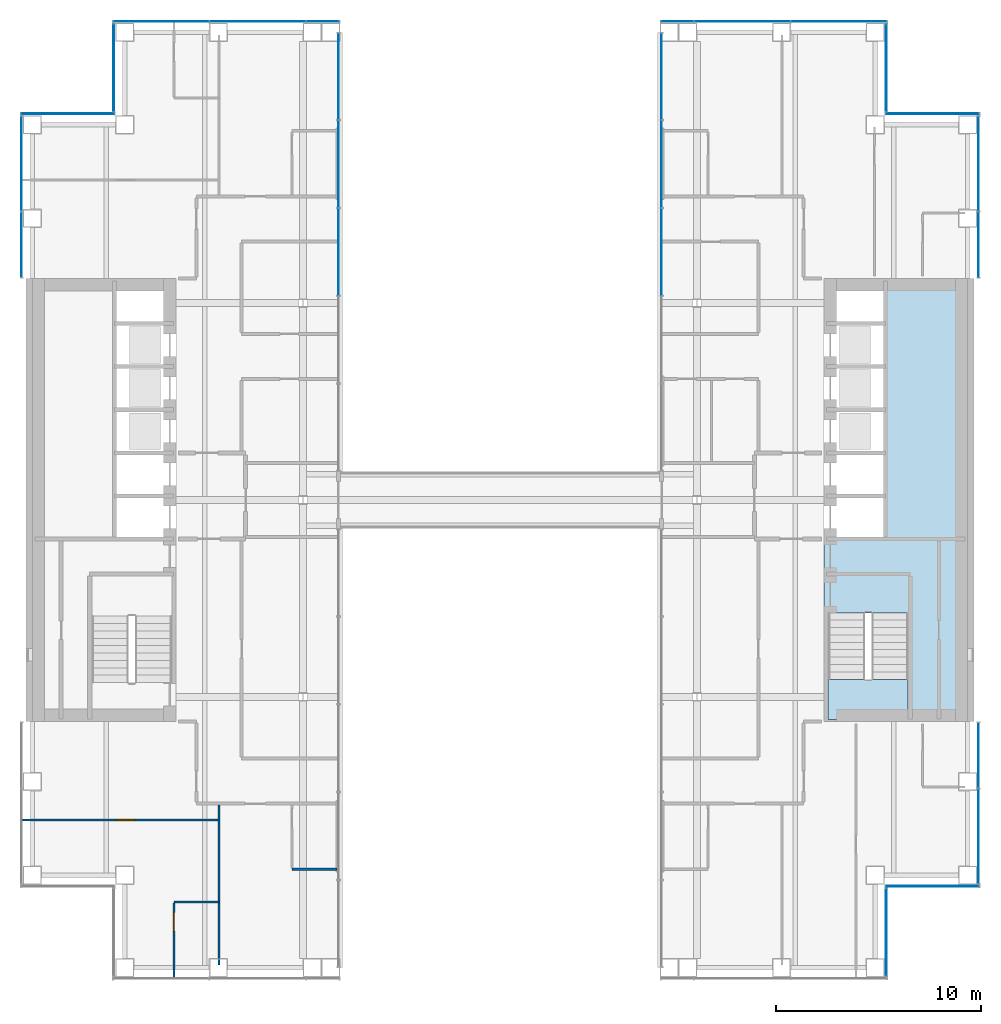
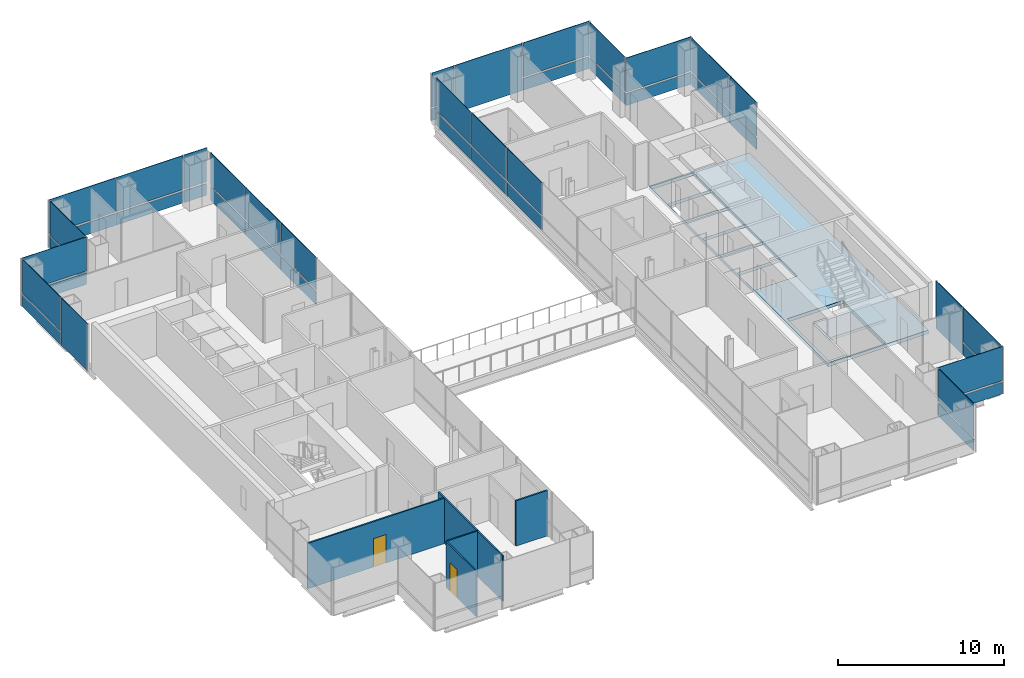
# One storey, part 10 of 16: 45 plates, 5 walls, 2 doors, 2 slabs, 2 openings, 14 elements without a shape of their own.
"""IFC4 building model written with IfcOpenShell, lengths in metres."""

from ifc_helpers import new_model, si_unit, direction, frame, frame_2d, origin, origin_2d, place, context, subcontext, project, spatial, polyline, rectangle, outline, extrude, material, layer, layer_set, type_object, element, fill, aggregate, save


model = new_model("IFC4")

# Units and contexts
model_context = context("Model", 3, precision=1e-05, world=origin(), true_north=direction((0.0, 1.0)))
body_context = subcontext(model_context, "Body", "Model", "MODEL_VIEW")
ifc_project = project(units=[si_unit("LENGTHUNIT", "METRE"), si_unit("AREAUNIT", "SQUARE_METRE"), si_unit("VOLUMEUNIT", "CUBIC_METRE"), si_unit("PLANEANGLEUNIT", "RADIAN"), si_unit("MASSUNIT", "GRAM", prefix="KILO")], contexts=[model_context])

# Site, building, storey
site_placement = place(None, origin())
site = spatial("IfcSite", under=ifc_project, at=site_placement, CompositionType="ELEMENT")
building_placement = place(site_placement, origin())
building = spatial("IfcBuilding", under=site, at=building_placement, Name="Cobrizo Arcos Hotel Tower", CompositionType="ELEMENT")
storey_placement = place(building_placement, frame((0.0, 0.0, 120.5)))
storey = spatial("IfcBuildingStorey", under=building, at=storey_placement, Name="L30", CompositionType="ELEMENT", Elevation=120.5)

# Curtain wall, plate
ifc_material_1 = material(Name="Aluminium 6063-T6 anodised bronze", Category="aluminium")
curtain_wall_type_1 = type_object("IfcCurtainWallType", Name="CW-A guest facade", PredefinedType="NOTDEFINED", material=ifc_material_1)
curtain_wall_1_placement = place(storey_placement, origin())
curtain_wall_1 = element("IfcCurtainWall", 1, at=curtain_wall_1_placement, inside=storey, type_object=curtain_wall_type_1, Name="CW-A L30 E face", PredefinedType="NOTDEFINED")
ifc_material_2 = material(Name="Glass clear laminated low-e", Category="glass")
ifc_layer_1 = layer(ifc_material_2, 0.0400390625)
ifc_layer_set_1 = layer_set([ifc_layer_1], Name="CW-A glass panel")
plate_type_1 = type_object("IfcPlateType", Name="CW-A glass panel", PredefinedType="CURTAIN_PANEL", material=ifc_layer_set_1)
plate_1_placement = place(storey_placement, frame((18.824951171875, -21.074951171875, 0.990234375), z_axis=(0.0, 0.0, 1.0), x_axis=(0.0, 1.0, 0.0)))
plate_1 = element("IfcPlate", 2, at=plate_1_placement, type_object=plate_type_1, Name="CW-A glass panel 1141", PredefinedType="CURTAIN_PANEL", context=body_context, shape_type="SweptSolid", body=[
    extrude(rectangle(XDim=4.22998046875, YDim=0.0400390625, at=origin_2d()), origin(), (0.0, 0.0, 1.0), 2.510009765625),
])

curtain_wall_2_placement = place(storey_placement, origin())
curtain_wall_2 = element("IfcCurtainWall", 3, at=curtain_wall_2_placement, inside=storey, type_object=curtain_wall_type_1, Name="CW-A L30 S face", PredefinedType="NOTDEFINED")
plate_2_placement = place(storey_placement, frame((21.074951171875, -18.824951171875, 0.990234375), z_axis=(0.0, 0.0, 1.0), x_axis=(1.0, 0.0, 0.0)))
plate_2 = element("IfcPlate", 4, at=plate_2_placement, type_object=plate_type_1, Name="CW-A glass panel 1142", PredefinedType="CURTAIN_PANEL", context=body_context, shape_type="SweptSolid", body=[
    extrude(rectangle(XDim=4.530029296875, YDim=0.0400390625, at=origin_2d()), origin(), (0.0, 0.0, 1.0), 2.510009765625),
])

curtain_wall_3_placement = place(storey_placement, origin())
curtain_wall_3 = element("IfcCurtainWall", 5, at=curtain_wall_3_placement, inside=storey, type_object=curtain_wall_type_1, Name="CW-A L30 E face", PredefinedType="NOTDEFINED")
plate_3_placement = place(storey_placement, frame((23.324951171875, -16.391357421875, 0.990234375), z_axis=(0.0, 0.0, 1.0), x_axis=(0.0, 1.0, 0.0)))
plate_3 = element("IfcPlate", 6, at=plate_3_placement, type_object=plate_type_1, Name="CW-A glass panel 1143", PredefinedType="CURTAIN_PANEL", context=body_context, shape_type="SweptSolid", body=[
    extrude(rectangle(XDim=4.597412109375, YDim=0.0400390625, at=origin_2d()), origin(), (0.0, 0.0, 1.0), 2.510009765625),
])

# Curtain wall, plates
curtain_wall_4_placement = place(storey_placement, origin())
curtain_wall_4 = element("IfcCurtainWall", 7, at=curtain_wall_4_placement, inside=storey, type_object=curtain_wall_type_1, Name="CW-A L30 E face", PredefinedType="NOTDEFINED")
plate_4_placement = place(storey_placement, frame((23.324951171875, 12.4462890625, 0.990234375), z_axis=(0.0, 0.0, 1.0), x_axis=(0.0, 1.0, 0.0)))
plate_4 = element("IfcPlate", 8, at=plate_4_placement, type_object=plate_type_1, Name="CW-A glass panel 1145", PredefinedType="CURTAIN_PANEL", context=body_context, shape_type="SweptSolid", body=[
    extrude(rectangle(XDim=3.172607421875, YDim=0.0400390625, at=origin_2d()), origin(), (0.0, 0.0, 1.0), 2.510009765625),
])
plate_5_placement = place(storey_placement, frame((23.324951171875, 16.391357421875, 0.990234375), z_axis=(0.0, 0.0, 1.0), x_axis=(0.0, 1.0, 0.0)))
plate_5 = element("IfcPlate", 9, at=plate_5_placement, type_object=plate_type_1, Name="CW-A glass panel 1146", PredefinedType="CURTAIN_PANEL", context=body_context, shape_type="SweptSolid", body=[
    extrude(rectangle(XDim=4.597412109375, YDim=0.0400390625, at=origin_2d()), origin(), (0.0, 0.0, 1.0), 2.510009765625),
])

# Curtain wall, plate
curtain_wall_5_placement = place(storey_placement, origin())
curtain_wall_5 = element("IfcCurtainWall", 10, at=curtain_wall_5_placement, inside=storey, type_object=curtain_wall_type_1, Name="CW-A L30 N face", PredefinedType="NOTDEFINED")
plate_6_placement = place(storey_placement, frame((21.074951171875, 18.824951171875, 0.990234375), z_axis=(0.0, 0.0, 1.0), x_axis=(-1.0, 0.0, 0.0)))
plate_6 = element("IfcPlate", 11, at=plate_6_placement, type_object=plate_type_1, Name="CW-A glass panel 1147", PredefinedType="CURTAIN_PANEL", context=body_context, shape_type="SweptSolid", body=[
    extrude(rectangle(XDim=4.530029296875, YDim=0.0400390625, at=origin_2d()), origin(), (0.0, 0.0, 1.0), 2.510009765625),
])

curtain_wall_6_placement = place(storey_placement, origin())
curtain_wall_6 = element("IfcCurtainWall", 12, at=curtain_wall_6_placement, inside=storey, type_object=curtain_wall_type_1, Name="CW-A L30 E face", PredefinedType="NOTDEFINED")
plate_7_placement = place(storey_placement, frame((18.824951171875, 21.074951171875, 0.990234375), z_axis=(0.0, 0.0, 1.0), x_axis=(0.0, 1.0, 0.0)))
plate_7 = element("IfcPlate", 13, at=plate_7_placement, type_object=plate_type_1, Name="CW-A glass panel 1148", PredefinedType="CURTAIN_PANEL", context=body_context, shape_type="SweptSolid", body=[
    extrude(rectangle(XDim=4.22998046875, YDim=0.0400390625, at=origin_2d()), origin(), (0.0, 0.0, 1.0), 2.510009765625),
])

# Curtain wall, plates
curtain_wall_7_placement = place(storey_placement, origin())
curtain_wall_7 = element("IfcCurtainWall", 14, at=curtain_wall_7_placement, inside=storey, type_object=curtain_wall_type_1, Name="CW-A L30 N face", PredefinedType="NOTDEFINED")
plate_8_placement = place(storey_placement, frame((16.5224609375, 23.324951171875, 0.990234375), z_axis=(0.0, 0.0, 1.0), x_axis=(-1.0, 0.0, 0.0)))
plate_8 = element("IfcPlate", 15, at=plate_8_placement, type_object=plate_type_1, Name="CW-A glass panel 1149", PredefinedType="CURTAIN_PANEL", context=body_context, shape_type="SweptSolid", body=[
    extrude(rectangle(XDim=4.635009765625, YDim=0.0400390625, at=origin_2d()), origin(), (0.0, 0.0, 1.0), 2.510009765625),
])
plate_9_placement = place(storey_placement, frame((8.639892578125, 23.324951171875, 0.990234375), z_axis=(0.0, 0.0, 1.0), x_axis=(-1.0, 0.0, 0.0)))
plate_9 = element("IfcPlate", 16, at=plate_9_placement, type_object=plate_type_1, Name="CW-A glass panel 1151", PredefinedType="CURTAIN_PANEL", context=body_context, shape_type="SweptSolid", body=[
    extrude(rectangle(XDim=1.56005859375, YDim=0.0400390625, at=origin_2d()), origin(), (0.0, 0.0, 1.0), 2.510009765625),
])

curtain_wall_8_placement = place(storey_placement, origin())
curtain_wall_8 = element("IfcCurtainWall", 17, at=curtain_wall_8_placement, inside=storey, type_object=curtain_wall_type_1, Name="CW-A L30 N face", PredefinedType="NOTDEFINED")
plate_10_placement = place(storey_placement, frame((-8.639892578125, 23.324951171875, 0.990234375), z_axis=(0.0, 0.0, 1.0), x_axis=(-1.0, 0.0, 0.0)))
plate_10 = element("IfcPlate", 18, at=plate_10_placement, type_object=plate_type_1, Name="CW-A glass panel 1152", PredefinedType="CURTAIN_PANEL", context=body_context, shape_type="SweptSolid", body=[
    extrude(rectangle(XDim=1.56005859375, YDim=0.0400390625, at=origin_2d()), origin(), (0.0, 0.0, 1.0), 2.510009765625),
])
plate_11_placement = place(storey_placement, frame((-11.8125, 23.324951171875, 0.990234375), z_axis=(0.0, 0.0, 1.0), x_axis=(-1.0, 0.0, 0.0)))
plate_11 = element("IfcPlate", 19, at=plate_11_placement, type_object=plate_type_1, Name="CW-A glass panel 1153", PredefinedType="CURTAIN_PANEL", context=body_context, shape_type="SweptSolid", body=[
    extrude(rectangle(XDim=4.6650390625, YDim=0.0400390625, at=origin_2d()), origin(), (0.0, 0.0, 1.0), 2.510009765625),
])
plate_12_placement = place(storey_placement, frame((-16.5224609375, 23.324951171875, 0.990234375), z_axis=(0.0, 0.0, 1.0), x_axis=(-1.0, 0.0, 0.0)))
plate_12 = element("IfcPlate", 20, at=plate_12_placement, type_object=plate_type_1, Name="CW-A glass panel 1154", PredefinedType="CURTAIN_PANEL", context=body_context, shape_type="SweptSolid", body=[
    extrude(rectangle(XDim=4.635009765625, YDim=0.0400390625, at=origin_2d()), origin(), (0.0, 0.0, 1.0), 2.510009765625),
])

# Curtain wall, plate
curtain_wall_9_placement = place(storey_placement, origin())
curtain_wall_9 = element("IfcCurtainWall", 21, at=curtain_wall_9_placement, inside=storey, type_object=curtain_wall_type_1, Name="CW-A L30 W face", PredefinedType="NOTDEFINED")
plate_13_placement = place(storey_placement, frame((-18.824951171875, 21.074951171875, 0.990234375), z_axis=(0.0, 0.0, 1.0), x_axis=(0.0, -1.0, 0.0)))
plate_13 = element("IfcPlate", 22, at=plate_13_placement, type_object=plate_type_1, Name="CW-A glass panel 1155", PredefinedType="CURTAIN_PANEL", context=body_context, shape_type="SweptSolid", body=[
    extrude(rectangle(XDim=4.22998046875, YDim=0.0400390625, at=origin_2d()), origin(), (0.0, 0.0, 1.0), 2.510009765625),
])

curtain_wall_10_placement = place(storey_placement, origin())
curtain_wall_10 = element("IfcCurtainWall", 23, at=curtain_wall_10_placement, inside=storey, type_object=curtain_wall_type_1, Name="CW-A L30 N face", PredefinedType="NOTDEFINED")
plate_14_placement = place(storey_placement, frame((-21.074951171875, 18.824951171875, 0.990234375), z_axis=(0.0, 0.0, 1.0), x_axis=(-1.0, 0.0, 0.0)))
plate_14 = element("IfcPlate", 24, at=plate_14_placement, type_object=plate_type_1, Name="CW-A glass panel 1156", PredefinedType="CURTAIN_PANEL", context=body_context, shape_type="SweptSolid", body=[
    extrude(rectangle(XDim=4.530029296875, YDim=0.0400390625, at=origin_2d()), origin(), (0.0, 0.0, 1.0), 2.510009765625),
])

curtain_wall_11_placement = place(storey_placement, origin())
curtain_wall_11 = element("IfcCurtainWall", 25, at=curtain_wall_11_placement, inside=storey, type_object=curtain_wall_type_1, Name="CW-A L30 W face", PredefinedType="NOTDEFINED")
plate_15_placement = place(storey_placement, frame((-23.324951171875, 16.391357421875, 0.990234375), z_axis=(0.0, 0.0, 1.0), x_axis=(0.0, -1.0, 0.0)))
plate_15 = element("IfcPlate", 26, at=plate_15_placement, type_object=plate_type_1, Name="CW-A glass panel 1157", PredefinedType="CURTAIN_PANEL", context=body_context, shape_type="SweptSolid", body=[
    extrude(rectangle(XDim=4.597412109375, YDim=0.0400390625, at=origin_2d()), origin(), (0.0, 0.0, 1.0), 2.510009765625),
])

# Plate
ifc_material_3 = material(Name="Aluminium composite panel pale metal", Category="aluminium")
ifc_layer_2 = layer(ifc_material_3, 0.0400390625)
ifc_layer_set_2 = layer_set([ifc_layer_2], Name="CW-A spandrel panel")
plate_type_2 = type_object("IfcPlateType", Name="CW-A spandrel panel", PredefinedType="CURTAIN_PANEL", material=ifc_layer_set_2)
plate_16_placement = place(storey_placement, frame((18.824951171875, -21.074951171875, 0.0), z_axis=(0.0, 0.0, 1.0), x_axis=(0.0, 1.0, 0.0)))
plate_16 = element("IfcPlate", 27, at=plate_16_placement, type_object=plate_type_2, Name="CW-A spandrel panel 1141", PredefinedType="CURTAIN_PANEL", context=body_context, shape_type="SweptSolid", body=[
    extrude(rectangle(XDim=4.22998046875, YDim=0.0400390625, at=origin_2d()), origin(), (0.0, 0.0, 1.0), 0.8701171875),
])

aggregate(curtain_wall_1, [plate_16, plate_1])

plate_17_placement = place(storey_placement, frame((21.074951171875, -18.824951171875, 0.0), z_axis=(0.0, 0.0, 1.0), x_axis=(1.0, 0.0, 0.0)))
plate_17 = element("IfcPlate", 28, at=plate_17_placement, type_object=plate_type_2, Name="CW-A spandrel panel 1142", PredefinedType="CURTAIN_PANEL", context=body_context, shape_type="SweptSolid", body=[
    extrude(rectangle(XDim=4.530029296875, YDim=0.0400390625, at=origin_2d()), origin(), (0.0, 0.0, 1.0), 0.8701171875),
])

aggregate(curtain_wall_2, [plate_17, plate_2])

plate_18_placement = place(storey_placement, frame((23.324951171875, -16.391357421875, 0.0), z_axis=(0.0, 0.0, 1.0), x_axis=(0.0, 1.0, 0.0)))
plate_18 = element("IfcPlate", 29, at=plate_18_placement, type_object=plate_type_2, Name="CW-A spandrel panel 1143", PredefinedType="CURTAIN_PANEL", context=body_context, shape_type="SweptSolid", body=[
    extrude(rectangle(XDim=4.597412109375, YDim=0.0400390625, at=origin_2d()), origin(), (0.0, 0.0, 1.0), 0.8701171875),
])

plate_19_placement = place(storey_placement, frame((23.324951171875, -12.4462890625, 0.0), z_axis=(0.0, 0.0, 1.0), x_axis=(0.0, 1.0, 0.0)))
plate_19 = element("IfcPlate", 30, at=plate_19_placement, type_object=plate_type_2, Name="CW-A spandrel panel 1144", PredefinedType="CURTAIN_PANEL", context=body_context, shape_type="SweptSolid", body=[
    extrude(rectangle(XDim=3.172607421875, YDim=0.0400390625, at=origin_2d()), origin(), (0.0, 0.0, 1.0), 3.5),
])

aggregate(curtain_wall_3, [plate_18, plate_3, plate_19])

plate_20_placement = place(storey_placement, frame((23.324951171875, 12.4462890625, 0.0), z_axis=(0.0, 0.0, 1.0), x_axis=(0.0, 1.0, 0.0)))
plate_20 = element("IfcPlate", 31, at=plate_20_placement, type_object=plate_type_2, Name="CW-A spandrel panel 1145", PredefinedType="CURTAIN_PANEL", context=body_context, shape_type="SweptSolid", body=[
    extrude(rectangle(XDim=3.172607421875, YDim=0.0400390625, at=origin_2d()), origin(), (0.0, 0.0, 1.0), 0.8701171875),
])

plate_21_placement = place(storey_placement, frame((23.324951171875, 16.391357421875, 0.0), z_axis=(0.0, 0.0, 1.0), x_axis=(0.0, 1.0, 0.0)))
plate_21 = element("IfcPlate", 32, at=plate_21_placement, type_object=plate_type_2, Name="CW-A spandrel panel 1146", PredefinedType="CURTAIN_PANEL", context=body_context, shape_type="SweptSolid", body=[
    extrude(rectangle(XDim=4.597412109375, YDim=0.0400390625, at=origin_2d()), origin(), (0.0, 0.0, 1.0), 0.8701171875),
])

aggregate(curtain_wall_4, [plate_20, plate_4, plate_21, plate_5])

plate_22_placement = place(storey_placement, frame((21.074951171875, 18.824951171875, 0.0), z_axis=(0.0, 0.0, 1.0), x_axis=(-1.0, 0.0, 0.0)))
plate_22 = element("IfcPlate", 33, at=plate_22_placement, type_object=plate_type_2, Name="CW-A spandrel panel 1147", PredefinedType="CURTAIN_PANEL", context=body_context, shape_type="SweptSolid", body=[
    extrude(rectangle(XDim=4.530029296875, YDim=0.0400390625, at=origin_2d()), origin(), (0.0, 0.0, 1.0), 0.8701171875),
])

aggregate(curtain_wall_5, [plate_22, plate_6])

plate_23_placement = place(storey_placement, frame((18.824951171875, 21.074951171875, 0.0), z_axis=(0.0, 0.0, 1.0), x_axis=(0.0, 1.0, 0.0)))
plate_23 = element("IfcPlate", 34, at=plate_23_placement, type_object=plate_type_2, Name="CW-A spandrel panel 1148", PredefinedType="CURTAIN_PANEL", context=body_context, shape_type="SweptSolid", body=[
    extrude(rectangle(XDim=4.22998046875, YDim=0.0400390625, at=origin_2d()), origin(), (0.0, 0.0, 1.0), 0.8701171875),
])

aggregate(curtain_wall_6, [plate_23, plate_7])

plate_24_placement = place(storey_placement, frame((16.5224609375, 23.324951171875, 0.0), z_axis=(0.0, 0.0, 1.0), x_axis=(-1.0, 0.0, 0.0)))
plate_24 = element("IfcPlate", 35, at=plate_24_placement, type_object=plate_type_2, Name="CW-A spandrel panel 1149", PredefinedType="CURTAIN_PANEL", context=body_context, shape_type="SweptSolid", body=[
    extrude(rectangle(XDim=4.635009765625, YDim=0.0400390625, at=origin_2d()), origin(), (0.0, 0.0, 1.0), 0.8701171875),
])

plate_25_placement = place(storey_placement, frame((11.8125, 23.324951171875, 0.0), z_axis=(0.0, 0.0, 1.0), x_axis=(-1.0, 0.0, 0.0)))
plate_25 = element("IfcPlate", 36, at=plate_25_placement, type_object=plate_type_2, Name="CW-A spandrel panel 1150", PredefinedType="CURTAIN_PANEL", context=body_context, shape_type="SweptSolid", body=[
    extrude(rectangle(XDim=4.6650390625, YDim=0.0400390625, at=origin_2d()), origin(), (0.0, 0.0, 1.0), 3.5),
])

plate_26_placement = place(storey_placement, frame((8.639892578125, 23.324951171875, 0.0), z_axis=(0.0, 0.0, 1.0), x_axis=(-1.0, 0.0, 0.0)))
plate_26 = element("IfcPlate", 37, at=plate_26_placement, type_object=plate_type_2, Name="CW-A spandrel panel 1151", PredefinedType="CURTAIN_PANEL", context=body_context, shape_type="SweptSolid", body=[
    extrude(rectangle(XDim=1.56005859375, YDim=0.0400390625, at=origin_2d()), origin(), (0.0, 0.0, 1.0), 0.8701171875),
])

aggregate(curtain_wall_7, [plate_24, plate_8, plate_25, plate_26, plate_9])

plate_27_placement = place(storey_placement, frame((-8.639892578125, 23.324951171875, 0.0), z_axis=(0.0, 0.0, 1.0), x_axis=(-1.0, 0.0, 0.0)))
plate_27 = element("IfcPlate", 38, at=plate_27_placement, type_object=plate_type_2, Name="CW-A spandrel panel 1152", PredefinedType="CURTAIN_PANEL", context=body_context, shape_type="SweptSolid", body=[
    extrude(rectangle(XDim=1.56005859375, YDim=0.0400390625, at=origin_2d()), origin(), (0.0, 0.0, 1.0), 0.8701171875),
])

plate_28_placement = place(storey_placement, frame((-11.8125, 23.324951171875, 0.0), z_axis=(0.0, 0.0, 1.0), x_axis=(-1.0, 0.0, 0.0)))
plate_28 = element("IfcPlate", 39, at=plate_28_placement, type_object=plate_type_2, Name="CW-A spandrel panel 1153", PredefinedType="CURTAIN_PANEL", context=body_context, shape_type="SweptSolid", body=[
    extrude(rectangle(XDim=4.6650390625, YDim=0.0400390625, at=origin_2d()), origin(), (0.0, 0.0, 1.0), 0.8701171875),
])

plate_29_placement = place(storey_placement, frame((-16.5224609375, 23.324951171875, 0.0), z_axis=(0.0, 0.0, 1.0), x_axis=(-1.0, 0.0, 0.0)))
plate_29 = element("IfcPlate", 40, at=plate_29_placement, type_object=plate_type_2, Name="CW-A spandrel panel 1154", PredefinedType="CURTAIN_PANEL", context=body_context, shape_type="SweptSolid", body=[
    extrude(rectangle(XDim=4.635009765625, YDim=0.0400390625, at=origin_2d()), origin(), (0.0, 0.0, 1.0), 0.8701171875),
])

aggregate(curtain_wall_8, [plate_27, plate_10, plate_28, plate_11, plate_29, plate_12])

plate_30_placement = place(storey_placement, frame((-18.824951171875, 21.074951171875, 0.0), z_axis=(0.0, 0.0, 1.0), x_axis=(0.0, -1.0, 0.0)))
plate_30 = element("IfcPlate", 41, at=plate_30_placement, type_object=plate_type_2, Name="CW-A spandrel panel 1155", PredefinedType="CURTAIN_PANEL", context=body_context, shape_type="SweptSolid", body=[
    extrude(rectangle(XDim=4.22998046875, YDim=0.0400390625, at=origin_2d()), origin(), (0.0, 0.0, 1.0), 0.8701171875),
])

aggregate(curtain_wall_9, [plate_30, plate_13])

plate_31_placement = place(storey_placement, frame((-21.074951171875, 18.824951171875, 0.0), z_axis=(0.0, 0.0, 1.0), x_axis=(-1.0, 0.0, 0.0)))
plate_31 = element("IfcPlate", 42, at=plate_31_placement, type_object=plate_type_2, Name="CW-A spandrel panel 1156", PredefinedType="CURTAIN_PANEL", context=body_context, shape_type="SweptSolid", body=[
    extrude(rectangle(XDim=4.530029296875, YDim=0.0400390625, at=origin_2d()), origin(), (0.0, 0.0, 1.0), 0.8701171875),
])

aggregate(curtain_wall_10, [plate_31, plate_14])

plate_32_placement = place(storey_placement, frame((-23.324951171875, 16.391357421875, 0.0), z_axis=(0.0, 0.0, 1.0), x_axis=(0.0, -1.0, 0.0)))
plate_32 = element("IfcPlate", 43, at=plate_32_placement, type_object=plate_type_2, Name="CW-A spandrel panel 1157", PredefinedType="CURTAIN_PANEL", context=body_context, shape_type="SweptSolid", body=[
    extrude(rectangle(XDim=4.597412109375, YDim=0.0400390625, at=origin_2d()), origin(), (0.0, 0.0, 1.0), 0.8701171875),
])

plate_33_placement = place(storey_placement, frame((-23.324951171875, 12.4462890625, 0.0), z_axis=(0.0, 0.0, 1.0), x_axis=(0.0, -1.0, 0.0)))
plate_33 = element("IfcPlate", 44, at=plate_33_placement, type_object=plate_type_2, Name="CW-A spandrel panel 1158", PredefinedType="CURTAIN_PANEL", context=body_context, shape_type="SweptSolid", body=[
    extrude(rectangle(XDim=3.172607421875, YDim=0.0400390625, at=origin_2d()), origin(), (0.0, 0.0, 1.0), 3.5),
])

aggregate(curtain_wall_11, [plate_32, plate_15, plate_33])

# Curtain wall, plates
curtain_wall_type_2 = type_object("IfcCurtainWallType", Name="CW-F void screen", PredefinedType="NOTDEFINED", material=ifc_material_1)
curtain_wall_12_placement = place(storey_placement, origin())
curtain_wall_12 = element("IfcCurtainWall", 45, at=curtain_wall_12_placement, inside=storey, type_object=curtain_wall_type_2, Name="CW-F L30 void screen B", PredefinedType="NOTDEFINED")
ifc_layer_3 = layer(ifc_material_2, 0.0400390625)
ifc_layer_set_3 = layer_set([ifc_layer_3], Name="CW-F glass panel")
plate_type_3 = type_object("IfcPlateType", Name="CW-F glass panel", PredefinedType="CURTAIN_PANEL", material=ifc_layer_set_3)
plate_34_placement = place(storey_placement, frame((7.875, 12.10009765625, 0.0), z_axis=(0.0, 0.0, 1.0), x_axis=(0.0, 1.0, 0.0)))
plate_34 = element("IfcPlate", 46, at=plate_34_placement, type_object=plate_type_3, Name="CW-F glass panel 2593", PredefinedType="CURTAIN_PANEL", context=body_context, shape_type="SweptSolid", body=[
    extrude(rectangle(XDim=4.219970703125, YDim=0.0400390625, at=origin_2d()), origin(), (0.0, 0.0, 1.0), 0.989990234375),
])
plate_35_placement = place(storey_placement, frame((7.875, 12.10009765625, 1.10986328125), z_axis=(0.0, 0.0, 1.0), x_axis=(0.0, 1.0, 0.0)))
plate_35 = element("IfcPlate", 47, at=plate_35_placement, type_object=plate_type_3, Name="CW-F glass panel 2593", PredefinedType="CURTAIN_PANEL", context=body_context, shape_type="SweptSolid", body=[
    extrude(rectangle(XDim=4.219970703125, YDim=0.0400390625, at=origin_2d()), origin(), (0.0, 0.0, 1.0), 2.389892578125),
])
plate_36_placement = place(storey_placement, frame((7.875, 16.3798828125, 0.0), z_axis=(0.0, 0.0, 1.0), x_axis=(0.0, 1.0, 0.0)))
plate_36 = element("IfcPlate", 48, at=plate_36_placement, type_object=plate_type_3, Name="CW-F glass panel 2594", PredefinedType="CURTAIN_PANEL", context=body_context, shape_type="SweptSolid", body=[
    extrude(rectangle(XDim=4.219970703125, YDim=0.0400390625, at=origin_2d()), origin(), (0.0, 0.0, 1.0), 0.989990234375),
])
plate_37_placement = place(storey_placement, frame((7.875, 16.3798828125, 1.10986328125), z_axis=(0.0, 0.0, 1.0), x_axis=(0.0, 1.0, 0.0)))
plate_37 = element("IfcPlate", 49, at=plate_37_placement, type_object=plate_type_3, Name="CW-F glass panel 2594", PredefinedType="CURTAIN_PANEL", context=body_context, shape_type="SweptSolid", body=[
    extrude(rectangle(XDim=4.219970703125, YDim=0.0400390625, at=origin_2d()), origin(), (0.0, 0.0, 1.0), 2.389892578125),
])
plate_38_placement = place(storey_placement, frame((7.875, 20.64501953125, 0.0), z_axis=(0.0, 0.0, 1.0), x_axis=(0.0, 1.0, 0.0)))
plate_38 = element("IfcPlate", 50, at=plate_38_placement, type_object=plate_type_3, Name="CW-F glass panel 2595", PredefinedType="CURTAIN_PANEL", context=body_context, shape_type="SweptSolid", body=[
    extrude(rectangle(XDim=4.18994140625, YDim=0.0400390625, at=origin_2d()), origin(), (0.0, 0.0, 1.0), 0.989990234375),
])
plate_39_placement = place(storey_placement, frame((7.875, 20.64501953125, 1.10986328125), z_axis=(0.0, 0.0, 1.0), x_axis=(0.0, 1.0, 0.0)))
plate_39 = element("IfcPlate", 51, at=plate_39_placement, type_object=plate_type_3, Name="CW-F glass panel 2595", PredefinedType="CURTAIN_PANEL", context=body_context, shape_type="SweptSolid", body=[
    extrude(rectangle(XDim=4.18994140625, YDim=0.0400390625, at=origin_2d()), origin(), (0.0, 0.0, 1.0), 2.389892578125),
])
aggregate(curtain_wall_12, [plate_34, plate_35, plate_36, plate_37, plate_38, plate_39])

curtain_wall_13_placement = place(storey_placement, origin())
curtain_wall_13 = element("IfcCurtainWall", 52, at=curtain_wall_13_placement, inside=storey, type_object=curtain_wall_type_2, Name="CW-F L30 void screen B", PredefinedType="NOTDEFINED")
plate_40_placement = place(storey_placement, frame((-7.875, 20.64501953125, 0.0), z_axis=(0.0, 0.0, 1.0), x_axis=(0.0, -1.0, 0.0)))
plate_40 = element("IfcPlate", 53, at=plate_40_placement, type_object=plate_type_3, Name="CW-F glass panel 2596", PredefinedType="CURTAIN_PANEL", context=body_context, shape_type="SweptSolid", body=[
    extrude(rectangle(XDim=4.18994140625, YDim=0.0400390625, at=origin_2d()), origin(), (0.0, 0.0, 1.0), 0.989990234375),
])
plate_41_placement = place(storey_placement, frame((-7.875, 20.64501953125, 1.10986328125), z_axis=(0.0, 0.0, 1.0), x_axis=(0.0, -1.0, 0.0)))
plate_41 = element("IfcPlate", 54, at=plate_41_placement, type_object=plate_type_3, Name="CW-F glass panel 2596", PredefinedType="CURTAIN_PANEL", context=body_context, shape_type="SweptSolid", body=[
    extrude(rectangle(XDim=4.18994140625, YDim=0.0400390625, at=origin_2d()), origin(), (0.0, 0.0, 1.0), 2.389892578125),
])
plate_42_placement = place(storey_placement, frame((-7.875, 16.3798828125, 0.0), z_axis=(0.0, 0.0, 1.0), x_axis=(0.0, -1.0, 0.0)))
plate_42 = element("IfcPlate", 55, at=plate_42_placement, type_object=plate_type_3, Name="CW-F glass panel 2597", PredefinedType="CURTAIN_PANEL", context=body_context, shape_type="SweptSolid", body=[
    extrude(rectangle(XDim=4.219970703125, YDim=0.0400390625, at=origin_2d()), origin(), (0.0, 0.0, 1.0), 0.989990234375),
])
plate_43_placement = place(storey_placement, frame((-7.875, 16.3798828125, 1.10986328125), z_axis=(0.0, 0.0, 1.0), x_axis=(0.0, -1.0, 0.0)))
plate_43 = element("IfcPlate", 56, at=plate_43_placement, type_object=plate_type_3, Name="CW-F glass panel 2597", PredefinedType="CURTAIN_PANEL", context=body_context, shape_type="SweptSolid", body=[
    extrude(rectangle(XDim=4.219970703125, YDim=0.0400390625, at=origin_2d()), origin(), (0.0, 0.0, 1.0), 2.389892578125),
])
plate_44_placement = place(storey_placement, frame((-7.875, 12.10009765625, 0.0), z_axis=(0.0, 0.0, 1.0), x_axis=(0.0, -1.0, 0.0)))
plate_44 = element("IfcPlate", 57, at=plate_44_placement, type_object=plate_type_3, Name="CW-F glass panel 2598", PredefinedType="CURTAIN_PANEL", context=body_context, shape_type="SweptSolid", body=[
    extrude(rectangle(XDim=4.219970703125, YDim=0.0400390625, at=origin_2d()), origin(), (0.0, 0.0, 1.0), 0.989990234375),
])
plate_45_placement = place(storey_placement, frame((-7.875, 12.10009765625, 1.10986328125), z_axis=(0.0, 0.0, 1.0), x_axis=(0.0, -1.0, 0.0)))
plate_45 = element("IfcPlate", 58, at=plate_45_placement, type_object=plate_type_3, Name="CW-F glass panel 2598", PredefinedType="CURTAIN_PANEL", context=body_context, shape_type="SweptSolid", body=[
    extrude(rectangle(XDim=4.219970703125, YDim=0.0400390625, at=origin_2d()), origin(), (0.0, 0.0, 1.0), 2.389892578125),
])
aggregate(curtain_wall_13, [plate_40, plate_41, plate_42, plate_43, plate_44, plate_45])

# Slab
ifc_material_4 = material(Name="Concrete f'c 50 MPa", Category="concrete")
ifc_layer_4 = layer(ifc_material_4, 0.25)
ifc_layer_set_4 = layer_set([ifc_layer_4], Name="RC core floor slab 250 f'c 50")
slab_type_1 = type_object("IfcSlabType", Name="RC core floor slab 250 f'c 50", PredefinedType="FLOOR", material=ifc_layer_set_4)
slab_1_placement = place(storey_placement, frame((0.0, 0.0, -0.25)))
element("IfcSlab", 59, at=slab_1_placement, inside=storey, type_object=slab_type_1, Name="Core floor slab CS5, east core, L30", PredefinedType="FLOOR", context=body_context, shape_type="SweptSolid", body=[
    extrude(outline(polyline([(15.800048828125, 10.800048828125), (22.800048828125, 10.800048828125), (22.800048828125, -10.800048828125), (15.800048828125, -10.800048828125), (15.800048828125, 10.800048828125)]), holes=[polyline([(19.89794921875, -10.697998046875), (19.89794921875, -5.501953125), (16.001953125, -5.501953125), (16.001953125, -10.697998046875), (19.89794921875, -10.697998046875)]), polyline([(15.802001953125, 0.197998046875), (15.802001953125, -1.89794921875), (18.798095703125, -1.89794921875), (18.798095703125, 0.197998046875), (15.802001953125, 0.197998046875)]), polyline([(18.798095703125, 2.298095703125), (15.802001953125, 2.298095703125), (15.802001953125, 0.201904296875), (18.798095703125, 0.201904296875), (18.798095703125, 2.298095703125)]), polyline([(18.798095703125, 4.39794921875), (15.802001953125, 4.39794921875), (15.802001953125, 2.302001953125), (18.798095703125, 2.302001953125), (18.798095703125, 4.39794921875)]), polyline([(15.802001953125, 6.498046875), (15.802001953125, 4.402099609375), (18.798095703125, 4.402099609375), (18.798095703125, 6.498046875), (15.802001953125, 6.498046875)]), polyline([(18.798095703125, 8.597900390625), (15.802001953125, 8.597900390625), (15.802001953125, 6.501953125), (18.798095703125, 6.501953125), (18.798095703125, 8.597900390625)]), polyline([(18.798095703125, 10.697998046875), (15.802001953125, 10.697998046875), (15.802001953125, 8.60205078125), (18.798095703125, 8.60205078125), (18.798095703125, 10.697998046875)])]), origin(), (0.0, 0.0, 1.0), 0.25),
])

# Stair, slab
ifc_material_5 = material(Name="Concrete f'c 40 MPa", Category="concrete")
stair_type = type_object("IfcStairType", Name="Exit stair", PredefinedType="HALF_TURN_STAIR", material=ifc_material_5)
stair_placement = place(storey_placement, origin())
stair = element("IfcStair", 60, at=stair_placement, inside=storey, type_object=stair_type, Name="L30 Exit stair ST-E", PredefinedType="HALF_TURN_STAIR")
ifc_layer_5 = layer(ifc_material_5, 0.199951171875)
ifc_layer_set_5 = layer_set([ifc_layer_5], Name="Stair landing")
slab_type_2 = type_object("IfcSlabType", Name="Stair landing", PredefinedType="LANDING", material=ifc_layer_set_5)
slab_2_placement = place(storey_placement, frame((0.0, 0.0, 1.550048828125)))
slab_2 = element("IfcSlab", 61, at=slab_2_placement, type_object=slab_type_2, Name="ST-E landing 1", PredefinedType="LANDING", context=body_context, shape_type="SweptSolid", body=[
    extrude(outline(polyline([(16.0, -8.739990234375), (16.0, -10.699951171875), (19.89990234375, -10.699951171875), (19.89990234375, -8.739990234375), (16.0, -8.739990234375)])), origin(), (0.0, 0.0, 1.0), 0.199951171875),
])
aggregate(stair, [slab_2])

# Walls
ifc_material_6 = material(Name="Gypsum board partition")
ifc_layer_6 = layer(ifc_material_6, 0.10009765625)
ifc_layer_set_6 = layer_set([ifc_layer_6], Name="Partition EI 30 100")
wall_type = type_object("IfcWallType", Name="Partition EI 30 100", PredefinedType="PARTITIONING", material=ifc_layer_set_6)
for number, where, z_axis, x_axis, name in (
    (62, (-15.89990234375, -19.60009765625, 0.0), (0.0, 0.0, 1.0), (1.0, 0.0, 0.0), "Partition 001"),
    (63, (-10.14990234375, -18.0, 0.0), (0.0, 0.0, 1.0), (1.0, 0.0, 0.0), "Partition 002"),
):
    element("IfcWall", number, at=place(storey_placement, frame(where, z_axis=z_axis, x_axis=x_axis)), inside=storey, type_object=wall_type, Name=name, PredefinedType="PARTITIONING", context=body_context, shape_type="SweptSolid", body=[
        extrude(rectangle(XDim=2.199951171875, YDim=0.10009765625, at=frame_2d((1.10009765625, 0.0))), origin(), (0.0, 0.0, 1.0), 3.35009765625),
    ])

# Wall, opening, door
wall_1_placement = place(storey_placement, frame((-23.280029296875, -15.60009765625, 0.0), z_axis=(0.0, 0.0, 1.0), x_axis=(1.0, 0.0, 0.0)))
wall_1 = element("IfcWall", 64, at=wall_1_placement, inside=storey, type_object=wall_type, Name="Partition 004", PredefinedType="PARTITIONING", context=body_context, shape_type="SweptSolid", body=[
    extrude(rectangle(XDim=9.580078125, YDim=0.10009765625, at=frame_2d((4.7900390625, 0.0))), origin(), (0.0, 0.0, 1.0), 3.35009765625),
])
opening_1_placement = place(wall_1_placement, frame((4.568115234375, 0.0, 0.0)))
opening_1 = element("IfcOpeningElement", 65, at=opening_1_placement, cuts=wall_1, Name="Opening RD-02", PredefinedType="OPENING", context=body_context, shape_type="SweptSolid", body=[
    extrude(rectangle(XDim=0.89990234375, YDim=2.10009765625, at=frame_2d((0.449951171875, 1.050048828125))), frame((0.0, 0.06201171875, 0.0), z_axis=(0.0, -1.0, 0.0), x_axis=(1.0, 0.0, 0.0)), (0.0, 0.0, 1.0), 0.1240234375),
])
ifc_material_7 = material(Name="Timber door leaf", Category="wood")
door_type_1 = type_object("IfcDoorType", Name="Room door FD30 900x2100", OperationType="SINGLE_SWING_LEFT", PredefinedType="DOOR", material=ifc_material_7)
door_1_placement = place(opening_1_placement, origin())
door_1 = element("IfcDoor", 66, at=door_1_placement, inside=storey, type_object=door_type_1, Name="Door RD-02", OperationType="SINGLE_SWING_RIGHT", OverallHeight=2.10009765625, OverallWidth=0.89990234375, PredefinedType="DOOR", context=body_context, shape_type="SweptSolid", body=[
    extrude(rectangle(XDim=0.89990234375, YDim=2.10009765625, at=frame_2d((0.449951171875, 1.050048828125))), frame((0.0, 0.02490234375, 0.0), z_axis=(0.0, -1.0, 0.0), x_axis=(1.0, 0.0, 0.0)), (0.0, 0.0, 1.0), 0.050048828125),
])
fill(opening_1, door_1)

wall_2_placement = place(storey_placement, frame((-15.89990234375, -23.280029296875, 0.0), z_axis=(0.0, 0.0, 1.0), x_axis=(0.0, 1.0, 0.0)))
wall_2 = element("IfcWall", 67, at=wall_2_placement, inside=storey, type_object=wall_type, Name="Partition 052", PredefinedType="PARTITIONING", context=body_context, shape_type="SweptSolid", body=[
    extrude(rectangle(XDim=3.630126953125, YDim=0.10009765625, at=frame_2d((1.81494140625, 0.0))), origin(), (0.0, 0.0, 1.0), 3.35009765625),
])
opening_2_placement = place(wall_2_placement, frame((2.27001953125, 0.0, 0.0)))
opening_2 = element("IfcOpeningElement", 68, at=opening_2_placement, cuts=wall_2, Name="Opening ED-06", PredefinedType="OPENING", context=body_context, shape_type="SweptSolid", body=[
    extrude(rectangle(XDim=0.89990234375, YDim=2.10009765625, at=frame_2d((0.449951171875, 1.050048828125))), frame((0.0, 0.06201171875, 0.0), z_axis=(0.0, -1.0, 0.0), x_axis=(1.0, 0.0, 0.0)), (0.0, 0.0, 1.0), 0.1240234375),
])
door_type_2 = type_object("IfcDoorType", Name="En-suite door 900x2100", OperationType="SINGLE_SWING_LEFT", PredefinedType="DOOR", material=ifc_material_7)
door_2_placement = place(opening_2_placement, origin())
door_2 = element("IfcDoor", 69, at=door_2_placement, inside=storey, type_object=door_type_2, Name="Door ED-06", OperationType="SINGLE_SWING_RIGHT", OverallHeight=2.10009765625, OverallWidth=0.89990234375, PredefinedType="DOOR", context=body_context, shape_type="SweptSolid", body=[
    extrude(rectangle(XDim=0.89990234375, YDim=2.10009765625, at=frame_2d((0.449951171875, 1.050048828125))), frame((0.0, 0.02490234375, 0.0), z_axis=(0.0, -1.0, 0.0), x_axis=(1.0, 0.0, 0.0)), (0.0, 0.0, 1.0), 0.050048828125),
])
fill(opening_2, door_2)

# Wall
wall_3_placement = place(storey_placement, frame((-13.699951171875, -22.679931640625, 0.0), z_axis=(0.0, 0.0, 1.0), x_axis=(0.0, 1.0, 0.0)))
element("IfcWall", 70, at=wall_3_placement, inside=storey, type_object=wall_type, Name="Partition 056", PredefinedType="PARTITIONING", context=body_context, shape_type="SweptSolid", body=[
    extrude(rectangle(XDim=7.804931640625, YDim=0.10009765625, at=frame_2d((3.90234375, 0.0))), origin(), (0.0, 0.0, 1.0), 3.35009765625),
])

save(model, "model.ifc")
